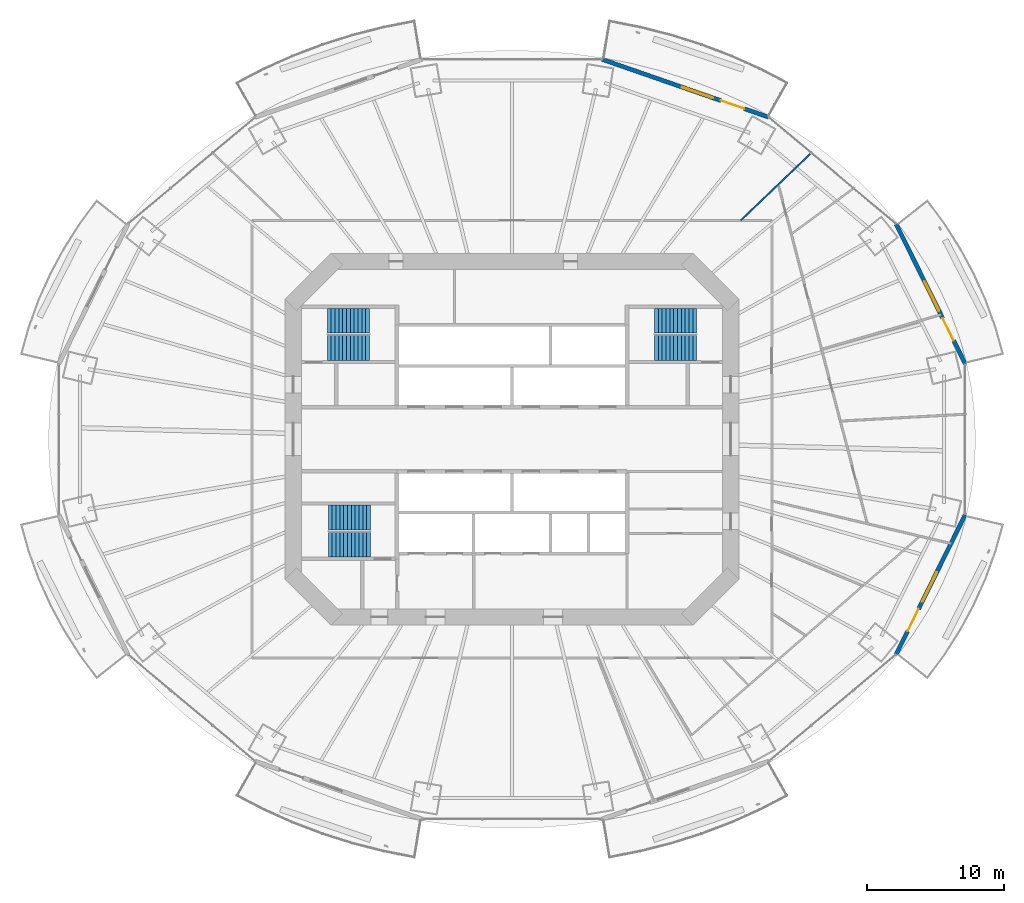
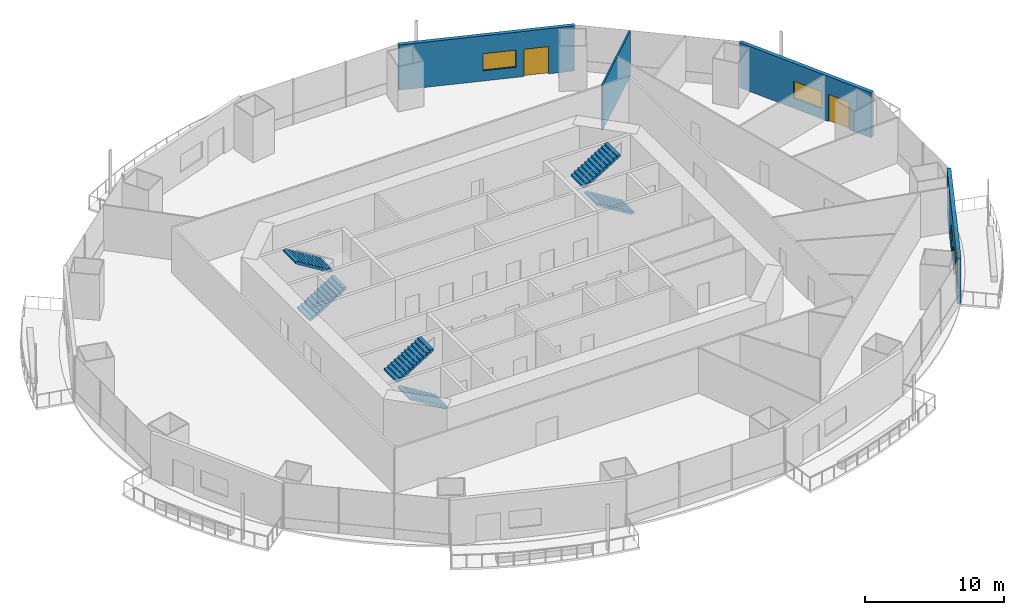
# One storey, part 16 of 21: 6 stair flights, 4 walls, 3 doors, 3 windows, 6 openings, 3 elements without a shape of their own.
"""IFC4 building model written with IfcOpenShell, lengths in metres."""

import ifcopenshell
import ifcopenshell.guid

model = None  # the IFC model being written
_history = None  # IfcOwnerHistory: only IFC2X3 demands one
_inside = {}  # id of a spatial element -> (the spatial element, [elements in it])
_under = {}  # id of a project, library or spatial element -> (it, [spatial elements below it])
_declared = {}  # id of a project -> (the project, [libraries it declares])
_typed = {}  # id of a type object -> (the type object, [elements of that type])
_made_of = {}  # id of a material, layer set ... -> (it, [elements and type objects made of it])


def new_model(schema):
    """Start an empty IFC model of exactly this schema.

    Asked for "IFC4X3", IfcOpenShell would pick the latest addendum, in which some entities
    have other attributes; the version numbers below select the first issue.
    IFC2X3 requires an IfcOwnerHistory on every rooted entity: one is made here for all.
    """
    global model, _history
    if schema == "IFC4X3":
        model = ifcopenshell.file(schema_version=(4, 3, 0, 0))
    else:
        model = ifcopenshell.file(schema=schema)
    _inside.clear()
    _under.clear()
    _declared.clear()
    _typed.clear()
    _made_of.clear()
    _history = None
    if model.schema == "IFC2X3":
        org = make("IfcOrganization", Name="unknown")
        user = make(
            "IfcPersonAndOrganization",
            ThePerson=make("IfcPerson", FamilyName="unknown"),
            TheOrganization=org,
        )
        app = make(
            "IfcApplication",
            ApplicationDeveloper=org,
            Version="unknown",
            ApplicationFullName="unknown",
            ApplicationIdentifier="unknown",
        )
        _history = make(
            "IfcOwnerHistory",
            OwningUser=user,
            OwningApplication=app,
            ChangeAction="ADDED",
            CreationDate=0,
        )
    return model


def make(cls, **values):
    """One entity of the class cls with the attributes given. An attribute that is None is left unset."""
    return model.create_entity(
        cls, **{name: value for name, value in values.items() if value is not None}
    )


def rooted(cls, **values):
    """An entity with a GlobalId (a new one), such as an element, a storey or a relation."""
    return make(cls, GlobalId=ifcopenshell.guid.new(), OwnerHistory=_history, **values)


def si_unit(unit_type, name, prefix=None):
    """IfcSIUnit, for example si_unit("LENGTHUNIT", "METRE", prefix="MILLI")."""
    return make("IfcSIUnit", UnitType=unit_type, Prefix=prefix, Name=name)


def assignment(units):
    """IfcUnitAssignment: the units of a project."""
    return None if units is None else make("IfcUnitAssignment", Units=units)


def point(xyz):
    """IfcCartesianPoint."""
    return None if xyz is None else make("IfcCartesianPoint", Coordinates=xyz)


def direction(xyz):
    """IfcDirection."""
    return None if xyz is None else make("IfcDirection", DirectionRatios=xyz)


def frame(location, z_axis=None, x_axis=None):
    """IfcAxis2Placement3D, a coordinate frame: its origin and axes. An axis left out is left unset."""
    return make(
        "IfcAxis2Placement3D",
        Location=point(location),
        Axis=direction(z_axis),
        RefDirection=direction(x_axis),
    )


def frame_2d(location, x_axis=None):
    """IfcAxis2Placement2D, a coordinate frame in the plane: its origin and x axis."""
    return make(
        "IfcAxis2Placement2D", Location=point(location), RefDirection=direction(x_axis)
    )


def origin():
    """The frame at (0, 0, 0) with its axes left unset."""
    return frame((0.0, 0.0, 0.0))


def place(relative_to, where):
    """IfcLocalPlacement: puts the frame where relative to a parent placement (None: the world)."""
    return make(
        "IfcLocalPlacement", PlacementRelTo=relative_to, RelativePlacement=where
    )


def context(
    kind, dimensions, precision=None, world=None, true_north=None, identifier=None
):
    """IfcGeometricRepresentationContext, for example the 3D "Model" context."""
    return make(
        "IfcGeometricRepresentationContext",
        ContextIdentifier=identifier,
        ContextType=kind,
        CoordinateSpaceDimension=dimensions,
        Precision=precision,
        WorldCoordinateSystem=world,
        TrueNorth=true_north,
    )


def subcontext(parent, identifier, kind, view, scale=None):
    """IfcGeometricRepresentationSubContext, for example "Body" below "Model"."""
    return make(
        "IfcGeometricRepresentationSubContext",
        ContextIdentifier=identifier,
        ContextType=kind,
        ParentContext=parent,
        TargetScale=scale,
        TargetView=view,
    )


def project(units=None, contexts=None):
    """IfcProject with its units and contexts."""
    return rooted(
        "IfcProject",
        Name="project",
        RepresentationContexts=contexts,
        UnitsInContext=assignment(units),
    )


def spatial(cls, under=None, at=None, **own):
    """A site, building, storey or space (cls), placed at a placement, below another one or the project."""
    s = rooted(cls, ObjectPlacement=at, **own)
    if under is not None:
        _under.setdefault(under.id(), (under, []))[1].append(s)
    return s


def polyline(points):
    """IfcPolyline through the points."""
    return make("IfcPolyline", Points=[point(p) for p in points])


def profile(cls, at=None, kind="AREA", **sizes):
    """A parametric profile (cls). Its sizes go by their IFC names, for example OverallWidth=200.0."""
    return make(cls, ProfileType=kind, Position=at, **sizes)


def rectangle(**sizes):
    """IfcRectangleProfileDef."""
    return profile("IfcRectangleProfileDef", **sizes)


def outline(outer, holes=None, kind="AREA"):
    """IfcArbitraryClosedProfileDef: a profile drawn as a closed curve; with holes, ...WithVoids."""
    if holes is None:
        return make("IfcArbitraryClosedProfileDef", ProfileType=kind, OuterCurve=outer)
    return make(
        "IfcArbitraryProfileDefWithVoids",
        ProfileType=kind,
        OuterCurve=outer,
        InnerCurves=holes,
    )


def extrude(swept, where, along, depth):
    """IfcExtrudedAreaSolid: the profile swept, set in the frame where, extruded along a direction by depth."""
    return make(
        "IfcExtrudedAreaSolid",
        SweptArea=swept,
        Position=where,
        ExtrudedDirection=direction(along),
        Depth=depth,
    )


def shape(context_of_items, identifier, shape_type, items):
    """IfcShapeRepresentation: the items that make up one representation, for example the "Body"."""
    return make(
        "IfcShapeRepresentation",
        ContextOfItems=context_of_items,
        RepresentationIdentifier=identifier,
        RepresentationType=shape_type,
        Items=items,
    )


def material(Name=None, Category=None):
    """IfcMaterial."""
    return make("IfcMaterial", Name=Name, Category=Category)


def layer(
    of_material, thickness, ventilated=None, Name=None, Category=None, Priority=None
):
    """IfcMaterialLayer: one layer of a wall or slab, of a material (None: an air gap)."""
    return make(
        "IfcMaterialLayer",
        Material=of_material,
        LayerThickness=thickness,
        IsVentilated=ventilated,
        Name=Name,
        Category=Category,
        Priority=Priority,
    )


def layer_set(layers, Name=None):
    """IfcMaterialLayerSet."""
    return make("IfcMaterialLayerSet", MaterialLayers=layers, LayerSetName=Name)


def made_of(thing, what):
    """Note that an element or type object is made of a material, layer set ...; save() writes the relation."""
    if what is not None:
        _made_of.setdefault(what.id(), (what, []))[1].append(thing)
    return thing


def type_object(cls, material=None, **own):
    """A type object (cls), such as IfcWallType, which elements share."""
    return made_of(rooted(cls, **own), material)


def element(
    cls,
    number,
    at=None,
    inside=None,
    cuts=None,
    type_object=None,
    material=None,
    context=None,
    identifier="Body",
    shape_type=None,
    held_by="IfcProductDefinitionShape",
    body=None,
    shapes=None,
    **own,
):
    """One element of the class cls, such as IfcWall. Its Tag is "e" and its number.

    at: its placement. inside: the storey or other place that contains it. cuts: it is an
    opening in that element (IfcRelVoidsElement). A single representation is given by context,
    identifier, shape_type and body (its items); several are given by shapes. held_by: the class
    of the entity that holds the representations. save() writes the other relations.
    """
    e = rooted(cls, Tag="e%d" % number, ObjectPlacement=at, **own)
    if body is not None:
        shapes = [shape(context, identifier, shape_type, body)]
    if shapes is not None:
        e.Representation = make(held_by, Representations=shapes)
    if inside is not None:
        _inside.setdefault(inside.id(), (inside, []))[1].append(e)
    if cuts is not None:
        rooted(
            "IfcRelVoidsElement", RelatingBuildingElement=cuts, RelatedOpeningElement=e
        )
    if type_object is not None:
        _typed.setdefault(type_object.id(), (type_object, []))[1].append(e)
    return made_of(e, material)


def fill(opening, filler):
    """IfcRelFillsElement: the door or window that sits in an opening."""
    return rooted(
        "IfcRelFillsElement",
        RelatingOpeningElement=opening,
        RelatedBuildingElement=filler,
    )


def aggregate(whole, parts):
    """IfcRelAggregates: a whole, such as a stair, and the parts it consists of."""
    return rooted("IfcRelAggregates", RelatingObject=whole, RelatedObjects=parts)


def save(model, path):
    """Write the relations noted so far, then the file.

    IfcRelAggregates (storeys below a building ...), IfcRelContainedInSpatialStructure (elements
    in a storey), IfcRelDefinesByType, IfcRelAssociatesMaterial and IfcRelDeclares: one each for
    every whole, place, type object, material and project.
    """
    for whole, parts in _under.values():
        aggregate(whole, parts)
    for where, things in _inside.values():
        rooted(
            "IfcRelContainedInSpatialStructure",
            RelatedElements=things,
            RelatingStructure=where,
        )
    for kind, things in _typed.values():
        rooted("IfcRelDefinesByType", RelatedObjects=things, RelatingType=kind)
    for what, things in _made_of.values():
        rooted("IfcRelAssociatesMaterial", RelatedObjects=things, RelatingMaterial=what)
    for by, libraries in _declared.values():
        rooted("IfcRelDeclares", RelatingContext=by, RelatedDefinitions=libraries)
    model.write(path)


model = new_model("IFC4")

# Units and contexts
model_context = context("Model", 3, precision=1e-05, world=origin(), true_north=direction((0.0, 1.0)))
body_context = subcontext(model_context, "Body", "Model", "MODEL_VIEW")
ifc_project = project(units=[si_unit("LENGTHUNIT", "METRE"), si_unit("AREAUNIT", "SQUARE_METRE"), si_unit("VOLUMEUNIT", "CUBIC_METRE"), si_unit("PLANEANGLEUNIT", "RADIAN"), si_unit("MASSUNIT", "GRAM", prefix="KILO")], contexts=[model_context])

# Site, building, storey
site_placement = place(None, origin())
site = spatial("IfcSite", under=ifc_project, at=site_placement, CompositionType="ELEMENT")
building_placement = place(site_placement, origin())
building = spatial("IfcBuilding", under=site, at=building_placement, Name="Marenthal Gate Tower", CompositionType="ELEMENT")
storey_placement = place(building_placement, frame((0.0, 0.0, 124.300048828125)))
storey = spatial("IfcBuildingStorey", under=building, at=storey_placement, Name="L26", CompositionType="ELEMENT", Elevation=124.300048828125)

# Wall
ifc_material_1 = material(Name="Gypsum board on steel studs", Category="steel")
ifc_layer_1 = layer(ifc_material_1, 0.1201171875)
ifc_layer_set_1 = layer_set([ifc_layer_1], Name="Partition 120")
wall_type_1 = type_object("IfcWallType", Name="Partition 120", PredefinedType="PARTITIONING", material=ifc_layer_set_1)
wall_1_placement = place(storey_placement, frame((16.72314453125, 16.0, 0.0), z_axis=(0.0, 0.0, 1.0), x_axis=(0.722554998294, 0.69131344153, 0.0)))
element("IfcWall", 1, at=wall_1_placement, inside=storey, type_object=wall_type_1, Name="Partition wall 53", PredefinedType="PARTITIONING", context=body_context, shape_type="SweptSolid", body=[
    extrude(rectangle(XDim=7.142578125, YDim=0.1201171875, at=frame_2d((3.5712890625, 0.0))), origin(), (0.0, 0.0, 1.0), 3.969970703125),
])

# Wall, openings, door, window
ifc_material_2 = material(Name="Terracotta cladding on insulated concrete-block backing", Category="masonry")
ifc_layer_2 = layer(ifc_material_2, 0.300048828125)
ifc_layer_set_2 = layer_set([ifc_layer_2], Name="Terracotta facade wall 300")
wall_type_2 = type_object("IfcWallType", Name="Terracotta facade wall 300", PredefinedType="SOLIDWALL", material=ifc_layer_set_2)
wall_2_placement = place(storey_placement, frame((33.134765625, 5.525390625, 0.0), z_axis=(0.0, 0.0, 1.0), x_axis=(-0.442972236493, 0.896535329865, 0.0)))
wall_2 = element("IfcWall", 2, at=wall_2_placement, inside=storey, type_object=wall_type_2, Name="Terracotta facade wall L26 bay 1", PredefinedType="SOLIDWALL", context=body_context, shape_type="SweptSolid", body=[
    extrude(rectangle(XDim=11.3876953125, YDim=0.300048828125, at=frame_2d((5.69384765625, 0.0))), origin(), (0.0, 0.0, 1.0), 3.969970703125),
])
opening_1_placement = place(wall_2_placement, frame((1.89990234375, 0.0, 0.0)))
opening_1 = element("IfcOpeningElement", 3, at=opening_1_placement, cuts=wall_2, Name="Opening BD-L26-01", PredefinedType="OPENING", context=body_context, shape_type="SweptSolid", body=[
    extrude(rectangle(XDim=1.800048828125, YDim=2.39990234375, at=frame_2d((0.89990234375, 1.199951171875))), frame((0.0, 0.16015625, 0.0), z_axis=(0.0, -1.0, 0.0), x_axis=(1.0, 0.0, 0.0)), (0.0, 0.0, 1.0), 0.320068359375),
])
opening_2_placement = place(wall_2_placement, frame((4.300048828125, 0.0, 0.89990234375)))
opening_2 = element("IfcOpeningElement", 4, at=opening_2_placement, cuts=wall_2, Name="Opening WN1-L26-01", PredefinedType="OPENING", context=body_context, shape_type="SweptSolid", body=[
    extrude(rectangle(XDim=2.39990234375, YDim=1.5, at=frame_2d((1.199951171875, 0.75))), frame((0.0, 0.16015625, 0.0), z_axis=(0.0, -1.0, 0.0), x_axis=(1.0, 0.0, 0.0)), (0.0, 0.0, 1.0), 0.320068359375),
])
ifc_material_3 = material(Name="Aluminium and glass", Category="aluminium")
door_type = type_object("IfcDoorType", Name="Balcony door 1800x2400", OperationType="DOUBLE_DOOR_SINGLE_SWING", PredefinedType="DOOR", material=ifc_material_3)
door_1_placement = place(opening_1_placement, origin())
door_1 = element("IfcDoor", 5, at=door_1_placement, inside=storey, type_object=door_type, Name="Balcony door L26 bay 1", OperationType="SINGLE_SWING_LEFT", OverallHeight=2.39990234375, OverallWidth=1.800048828125, PredefinedType="DOOR", context=body_context, shape_type="SweptSolid", body=[
    extrude(rectangle(XDim=1.800048828125, YDim=2.39990234375, at=frame_2d((0.89990234375, 1.199951171875))), frame((0.0, 0.02490234375, 0.0), z_axis=(0.0, -1.0, 0.0), x_axis=(1.0, 0.0, 0.0)), (0.0, 0.0, 1.0), 0.050048828125),
])
fill(opening_1, door_1)
ifc_material_4 = material(Name="Aluminium and glass", Category="aluminium")
window_type = type_object("IfcWindowType", Name="Window 2400x1500", PartitioningType="TRIPLE_PANEL_VERTICAL", PredefinedType="WINDOW", material=ifc_material_4)
window_1_placement = place(opening_2_placement, origin())
window_1 = element("IfcWindow", 6, at=window_1_placement, inside=storey, type_object=window_type, Name="Window L26 bay 1", OverallHeight=1.5, OverallWidth=2.39990234375, PartitioningType="SINGLE_PANEL", PredefinedType="WINDOW", context=body_context, shape_type="SweptSolid", body=[
    extrude(rectangle(XDim=2.39990234375, YDim=1.5, at=frame_2d((1.199951171875, 0.75))), frame((0.0, 0.030029296875, 0.0), z_axis=(0.0, -1.0, 0.0), x_axis=(1.0, 0.0, 0.0)), (0.0, 0.0, 1.0), 0.06005859375),
])
fill(opening_2, window_1)

wall_3_placement = place(storey_placement, frame((18.769287109375, 23.548828125, 0.0), z_axis=(0.0, 0.0, 1.0), x_axis=(-0.944664780262, 0.328037273694, 0.0)))
wall_3 = element("IfcWall", 7, at=wall_3_placement, inside=storey, type_object=wall_type_2, Name="Terracotta facade wall L26 bay 3", PredefinedType="SOLIDWALL", context=body_context, shape_type="SweptSolid", body=[
    extrude(rectangle(XDim=12.891845703125, YDim=0.300048828125, at=frame_2d((6.44580078125, 0.0))), origin(), (0.0, 0.0, 1.0), 3.969970703125),
])
opening_3_placement = place(wall_3_placement, frame((1.89990234375, 0.0, 0.0)))
opening_3 = element("IfcOpeningElement", 8, at=opening_3_placement, cuts=wall_3, Name="Opening BD-L26-03", PredefinedType="OPENING", context=body_context, shape_type="SweptSolid", body=[
    extrude(rectangle(XDim=1.800048828125, YDim=2.39990234375, at=frame_2d((0.89990234375, 1.199951171875))), frame((0.0, 0.16015625, 0.0), z_axis=(0.0, -1.0, 0.0), x_axis=(1.0, 0.0, 0.0)), (0.0, 0.0, 1.0), 0.320068359375),
])
opening_4_placement = place(wall_3_placement, frame((4.300048828125, 0.0, 0.89990234375)))
opening_4 = element("IfcOpeningElement", 9, at=opening_4_placement, cuts=wall_3, Name="Opening WN1-L26-03", PredefinedType="OPENING", context=body_context, shape_type="SweptSolid", body=[
    extrude(rectangle(XDim=2.39990234375, YDim=1.5, at=frame_2d((1.199951171875, 0.75))), frame((0.0, 0.16015625, 0.0), z_axis=(0.0, -1.0, 0.0), x_axis=(1.0, 0.0, 0.0)), (0.0, 0.0, 1.0), 0.320068359375),
])
door_2_placement = place(opening_3_placement, origin())
door_2 = element("IfcDoor", 10, at=door_2_placement, inside=storey, type_object=door_type, Name="Balcony door L26 bay 3", OperationType="SINGLE_SWING_LEFT", OverallHeight=2.39990234375, OverallWidth=1.800048828125, PredefinedType="DOOR", context=body_context, shape_type="SweptSolid", body=[
    extrude(rectangle(XDim=1.800048828125, YDim=2.39990234375, at=frame_2d((0.89990234375, 1.199951171875))), frame((0.0, 0.02490234375, 0.0), z_axis=(0.0, -1.0, 0.0), x_axis=(1.0, 0.0, 0.0)), (0.0, 0.0, 1.0), 0.050048828125),
])
fill(opening_3, door_2)
window_2_placement = place(opening_4_placement, origin())
window_2 = element("IfcWindow", 11, at=window_2_placement, inside=storey, type_object=window_type, Name="Window L26 bay 3", OverallHeight=1.5, OverallWidth=2.39990234375, PartitioningType="SINGLE_PANEL", PredefinedType="WINDOW", context=body_context, shape_type="SweptSolid", body=[
    extrude(rectangle(XDim=2.39990234375, YDim=1.5, at=frame_2d((1.199951171875, 0.75))), frame((0.0, 0.030029296875, 0.0), z_axis=(0.0, -1.0, 0.0), x_axis=(1.0, 0.0, 0.0)), (0.0, 0.0, 1.0), 0.06005859375),
])
fill(opening_4, window_2)

wall_4_placement = place(storey_placement, frame((28.09033203125, -15.73486328125, 0.0), z_axis=(0.0, 0.0, 1.0), x_axis=(0.442972236493, 0.896535329865, 0.0)))
wall_4 = element("IfcWall", 12, at=wall_4_placement, inside=storey, type_object=wall_type_2, Name="Terracotta facade wall L26 bay 15", PredefinedType="SOLIDWALL", context=body_context, shape_type="SweptSolid", body=[
    extrude(rectangle(XDim=11.3876953125, YDim=0.300048828125, at=frame_2d((5.69384765625, 0.0))), origin(), (0.0, 0.0, 1.0), 3.969970703125),
])
opening_5_placement = place(wall_4_placement, frame((1.89990234375, 0.0, 0.0)))
opening_5 = element("IfcOpeningElement", 13, at=opening_5_placement, cuts=wall_4, Name="Opening BD-L26-15", PredefinedType="OPENING", context=body_context, shape_type="SweptSolid", body=[
    extrude(rectangle(XDim=1.800048828125, YDim=2.39990234375, at=frame_2d((0.89990234375, 1.199951171875))), frame((0.0, 0.16015625, 0.0), z_axis=(0.0, -1.0, 0.0), x_axis=(1.0, 0.0, 0.0)), (0.0, 0.0, 1.0), 0.320068359375),
])
opening_6_placement = place(wall_4_placement, frame((4.300048828125, 0.0, 0.89990234375)))
opening_6 = element("IfcOpeningElement", 14, at=opening_6_placement, cuts=wall_4, Name="Opening WN1-L26-15", PredefinedType="OPENING", context=body_context, shape_type="SweptSolid", body=[
    extrude(rectangle(XDim=2.39990234375, YDim=1.5, at=frame_2d((1.199951171875, 0.75))), frame((0.0, 0.16015625, 0.0), z_axis=(0.0, -1.0, 0.0), x_axis=(1.0, 0.0, 0.0)), (0.0, 0.0, 1.0), 0.320068359375),
])
door_3_placement = place(opening_5_placement, origin())
door_3 = element("IfcDoor", 15, at=door_3_placement, inside=storey, type_object=door_type, Name="Balcony door L26 bay 15", OperationType="SINGLE_SWING_LEFT", OverallHeight=2.39990234375, OverallWidth=1.800048828125, PredefinedType="DOOR", context=body_context, shape_type="SweptSolid", body=[
    extrude(rectangle(XDim=1.800048828125, YDim=2.39990234375, at=frame_2d((0.89990234375, 1.199951171875))), frame((0.0, 0.02490234375, 0.0), z_axis=(0.0, -1.0, 0.0), x_axis=(1.0, 0.0, 0.0)), (0.0, 0.0, 1.0), 0.050048828125),
])
fill(opening_5, door_3)
window_3_placement = place(opening_6_placement, origin())
window_3 = element("IfcWindow", 16, at=window_3_placement, inside=storey, type_object=window_type, Name="Window L26 bay 15", OverallHeight=1.5, OverallWidth=2.39990234375, PartitioningType="SINGLE_PANEL", PredefinedType="WINDOW", context=body_context, shape_type="SweptSolid", body=[
    extrude(rectangle(XDim=2.39990234375, YDim=1.5, at=frame_2d((1.199951171875, 0.75))), frame((0.0, 0.030029296875, 0.0), z_axis=(0.0, -1.0, 0.0), x_axis=(1.0, 0.0, 0.0)), (0.0, 0.0, 1.0), 0.06005859375),
])
fill(opening_6, window_3)

# Stair, stair flights
ifc_material_5 = material(Name="Concrete 40 MPa", Category="concrete")
stair_type = type_object("IfcStairType", Name="Exit stair 1800", PredefinedType="HALF_TURN_STAIR", material=ifc_material_5)
stair_1_placement = place(storey_placement, origin())
stair_1 = element("IfcStair", 17, at=stair_1_placement, inside=storey, type_object=stair_type, Name="Stair ST1", PredefinedType="HALF_TURN_STAIR")
ifc_material_6 = material(Name="Concrete 40 MPa", Category="concrete")
stair_flight_type = type_object("IfcStairFlightType", Name="Stair flight 1800", PredefinedType="STRAIGHT", material=ifc_material_6)
stair_flight_1_placement = place(storey_placement, frame((-13.5, 6.675048828125, 0.0), z_axis=(0.0, 0.0, 1.0), x_axis=(1.0, 0.0, 0.0)))
stair_flight_1 = element("IfcStairFlight", 18, at=stair_flight_1_placement, type_object=stair_flight_type, Name="ST1 flight 1", NumberOfRisers=12, NumberOfTreads=11, PredefinedType="STRAIGHT", RiserHeight=0.172916667, TreadLength=0.28, context=body_context, shape_type="SweptSolid", body=[
    extrude(outline(polyline([(0.0, 0.0), (0.0, 0.1728515625), (0.280029296875, 0.1728515625), (0.280029296875, 0.345947265625), (0.56005859375, 0.345947265625), (0.56005859375, 0.518798828125), (0.840087890625, 0.518798828125), (0.840087890625, 0.691650390625), (1.1201171875, 0.691650390625), (1.1201171875, 0.864501953125), (1.39990234375, 0.864501953125), (1.39990234375, 1.03759765625), (1.679931640625, 1.03759765625), (1.679931640625, 1.21044921875), (1.9599609375, 1.21044921875), (1.9599609375, 1.38330078125), (2.239990234375, 1.38330078125), (2.239990234375, 1.55615234375), (2.52001953125, 1.55615234375), (2.52001953125, 1.729248046875), (2.800048828125, 1.729248046875), (2.800048828125, 1.902099609375), (3.080078125, 1.902099609375), (3.080078125, 2.074951171875), (3.080078125, 1.725830078125), (0.285400390625, 0.0), (0.0, 0.0)])), frame((0.0, 0.89990234375, 0.0), z_axis=(0.0, -1.0, 0.0), x_axis=(1.0, 0.0, 0.0)), (0.0, 0.0, 1.0), 1.800048828125),
])
stair_flight_2_placement = place(storey_placement, frame((-10.419921875, 8.675048828125, 2.074951171875), z_axis=(0.0, 0.0, 1.0), x_axis=(-1.0, 0.0, 0.0)))
stair_flight_2 = element("IfcStairFlight", 19, at=stair_flight_2_placement, type_object=stair_flight_type, Name="ST1 flight 2", NumberOfRisers=12, NumberOfTreads=11, PredefinedType="STRAIGHT", RiserHeight=0.172916667, TreadLength=0.28, context=body_context, shape_type="SweptSolid", body=[
    extrude(outline(polyline([(0.0, 0.0), (0.0, 0.1728515625), (0.280029296875, 0.1728515625), (0.280029296875, 0.345947265625), (0.56005859375, 0.345947265625), (0.56005859375, 0.518798828125), (0.840087890625, 0.518798828125), (0.840087890625, 0.691650390625), (1.1201171875, 0.691650390625), (1.1201171875, 0.864501953125), (1.39990234375, 0.864501953125), (1.39990234375, 1.03759765625), (1.679931640625, 1.03759765625), (1.679931640625, 1.21044921875), (1.9599609375, 1.21044921875), (1.9599609375, 1.38330078125), (2.239990234375, 1.38330078125), (2.239990234375, 1.55615234375), (2.52001953125, 1.55615234375), (2.52001953125, 1.729248046875), (2.800048828125, 1.729248046875), (2.800048828125, 1.902099609375), (3.080078125, 1.902099609375), (3.080078125, 2.074951171875), (3.080078125, 1.725830078125), (0.285400390625, 0.0), (0.0, 0.0)])), frame((0.0, 0.89990234375, 0.0), z_axis=(0.0, -1.0, 0.0), x_axis=(1.0, 0.0, 0.0)), (0.0, 0.0, 1.0), 1.800048828125),
])
aggregate(stair_1, [stair_flight_1, stair_flight_2])

stair_2_placement = place(storey_placement, origin())
stair_2 = element("IfcStair", 20, at=stair_2_placement, inside=storey, type_object=stair_type, Name="Stair ST2", PredefinedType="HALF_TURN_STAIR")
stair_flight_3_placement = place(storey_placement, frame((-10.35009765625, -7.72509765625, 0.0), z_axis=(0.0, 0.0, 1.0), x_axis=(-1.0, 0.0, 0.0)))
stair_flight_3 = element("IfcStairFlight", 21, at=stair_flight_3_placement, type_object=stair_flight_type, Name="ST2 flight 1", NumberOfRisers=12, NumberOfTreads=11, PredefinedType="STRAIGHT", RiserHeight=0.172916667, TreadLength=0.28, context=body_context, shape_type="SweptSolid", body=[
    extrude(outline(polyline([(0.0, 0.0), (0.0, 0.1728515625), (0.280029296875, 0.1728515625), (0.280029296875, 0.345947265625), (0.56005859375, 0.345947265625), (0.56005859375, 0.518798828125), (0.840087890625, 0.518798828125), (0.840087890625, 0.691650390625), (1.1201171875, 0.691650390625), (1.1201171875, 0.864501953125), (1.39990234375, 0.864501953125), (1.39990234375, 1.03759765625), (1.679931640625, 1.03759765625), (1.679931640625, 1.21044921875), (1.9599609375, 1.21044921875), (1.9599609375, 1.38330078125), (2.239990234375, 1.38330078125), (2.239990234375, 1.55615234375), (2.52001953125, 1.55615234375), (2.52001953125, 1.729248046875), (2.800048828125, 1.729248046875), (2.800048828125, 1.902099609375), (3.080078125, 1.902099609375), (3.080078125, 2.074951171875), (3.080078125, 1.725830078125), (0.285400390625, 0.0), (0.0, 0.0)])), frame((0.0, 0.89990234375, 0.0), z_axis=(0.0, -1.0, 0.0), x_axis=(1.0, 0.0, 0.0)), (0.0, 0.0, 1.0), 1.800048828125),
])
stair_flight_4_placement = place(storey_placement, frame((-13.429931640625, -5.72509765625, 2.074951171875), z_axis=(0.0, 0.0, 1.0), x_axis=(1.0, 0.0, 0.0)))
stair_flight_4 = element("IfcStairFlight", 22, at=stair_flight_4_placement, type_object=stair_flight_type, Name="ST2 flight 2", NumberOfRisers=12, NumberOfTreads=11, PredefinedType="STRAIGHT", RiserHeight=0.172916667, TreadLength=0.28, context=body_context, shape_type="SweptSolid", body=[
    extrude(outline(polyline([(0.0, 0.0), (0.0, 0.1728515625), (0.280029296875, 0.1728515625), (0.280029296875, 0.345947265625), (0.56005859375, 0.345947265625), (0.56005859375, 0.518798828125), (0.840087890625, 0.518798828125), (0.840087890625, 0.691650390625), (1.1201171875, 0.691650390625), (1.1201171875, 0.864501953125), (1.39990234375, 0.864501953125), (1.39990234375, 1.03759765625), (1.679931640625, 1.03759765625), (1.679931640625, 1.21044921875), (1.9599609375, 1.21044921875), (1.9599609375, 1.38330078125), (2.239990234375, 1.38330078125), (2.239990234375, 1.55615234375), (2.52001953125, 1.55615234375), (2.52001953125, 1.729248046875), (2.800048828125, 1.729248046875), (2.800048828125, 1.902099609375), (3.080078125, 1.902099609375), (3.080078125, 2.074951171875), (3.080078125, 1.725830078125), (0.285400390625, 0.0), (0.0, 0.0)])), frame((0.0, 0.89990234375, 0.0), z_axis=(0.0, -1.0, 0.0), x_axis=(1.0, 0.0, 0.0)), (0.0, 0.0, 1.0), 1.800048828125),
])
aggregate(stair_2, [stair_flight_3, stair_flight_4])

stair_3_placement = place(storey_placement, origin())
stair_3 = element("IfcStair", 23, at=stair_3_placement, inside=storey, type_object=stair_type, Name="Stair ST3", PredefinedType="HALF_TURN_STAIR")
stair_flight_5_placement = place(storey_placement, frame((13.5, 6.675048828125, 0.0), z_axis=(0.0, 0.0, 1.0), x_axis=(-1.0, 0.0, 0.0)))
stair_flight_5 = element("IfcStairFlight", 24, at=stair_flight_5_placement, type_object=stair_flight_type, Name="ST3 flight 1", NumberOfRisers=12, NumberOfTreads=11, PredefinedType="STRAIGHT", RiserHeight=0.172916667, TreadLength=0.28, context=body_context, shape_type="SweptSolid", body=[
    extrude(outline(polyline([(0.0, 0.0), (0.0, 0.1728515625), (0.280029296875, 0.1728515625), (0.280029296875, 0.345947265625), (0.56005859375, 0.345947265625), (0.56005859375, 0.518798828125), (0.840087890625, 0.518798828125), (0.840087890625, 0.691650390625), (1.1201171875, 0.691650390625), (1.1201171875, 0.864501953125), (1.39990234375, 0.864501953125), (1.39990234375, 1.03759765625), (1.679931640625, 1.03759765625), (1.679931640625, 1.21044921875), (1.9599609375, 1.21044921875), (1.9599609375, 1.38330078125), (2.239990234375, 1.38330078125), (2.239990234375, 1.55615234375), (2.52001953125, 1.55615234375), (2.52001953125, 1.729248046875), (2.800048828125, 1.729248046875), (2.800048828125, 1.902099609375), (3.080078125, 1.902099609375), (3.080078125, 2.074951171875), (3.080078125, 1.725830078125), (0.285400390625, 0.0), (0.0, 0.0)])), frame((0.0, 0.89990234375, 0.0), z_axis=(0.0, -1.0, 0.0), x_axis=(1.0, 0.0, 0.0)), (0.0, 0.0, 1.0), 1.800048828125),
])
stair_flight_6_placement = place(storey_placement, frame((10.419921875, 8.675048828125, 2.074951171875), z_axis=(0.0, 0.0, 1.0), x_axis=(1.0, 0.0, 0.0)))
stair_flight_6 = element("IfcStairFlight", 25, at=stair_flight_6_placement, type_object=stair_flight_type, Name="ST3 flight 2", NumberOfRisers=12, NumberOfTreads=11, PredefinedType="STRAIGHT", RiserHeight=0.172916667, TreadLength=0.28, context=body_context, shape_type="SweptSolid", body=[
    extrude(outline(polyline([(0.0, 0.0), (0.0, 0.1728515625), (0.280029296875, 0.1728515625), (0.280029296875, 0.345947265625), (0.56005859375, 0.345947265625), (0.56005859375, 0.518798828125), (0.840087890625, 0.518798828125), (0.840087890625, 0.691650390625), (1.1201171875, 0.691650390625), (1.1201171875, 0.864501953125), (1.39990234375, 0.864501953125), (1.39990234375, 1.03759765625), (1.679931640625, 1.03759765625), (1.679931640625, 1.21044921875), (1.9599609375, 1.21044921875), (1.9599609375, 1.38330078125), (2.239990234375, 1.38330078125), (2.239990234375, 1.55615234375), (2.52001953125, 1.55615234375), (2.52001953125, 1.729248046875), (2.800048828125, 1.729248046875), (2.800048828125, 1.902099609375), (3.080078125, 1.902099609375), (3.080078125, 2.074951171875), (3.080078125, 1.725830078125), (0.285400390625, 0.0), (0.0, 0.0)])), frame((0.0, 0.89990234375, 0.0), z_axis=(0.0, -1.0, 0.0), x_axis=(1.0, 0.0, 0.0)), (0.0, 0.0, 1.0), 1.800048828125),
])
aggregate(stair_3, [stair_flight_5, stair_flight_6])

save(model, "model.ifc")
